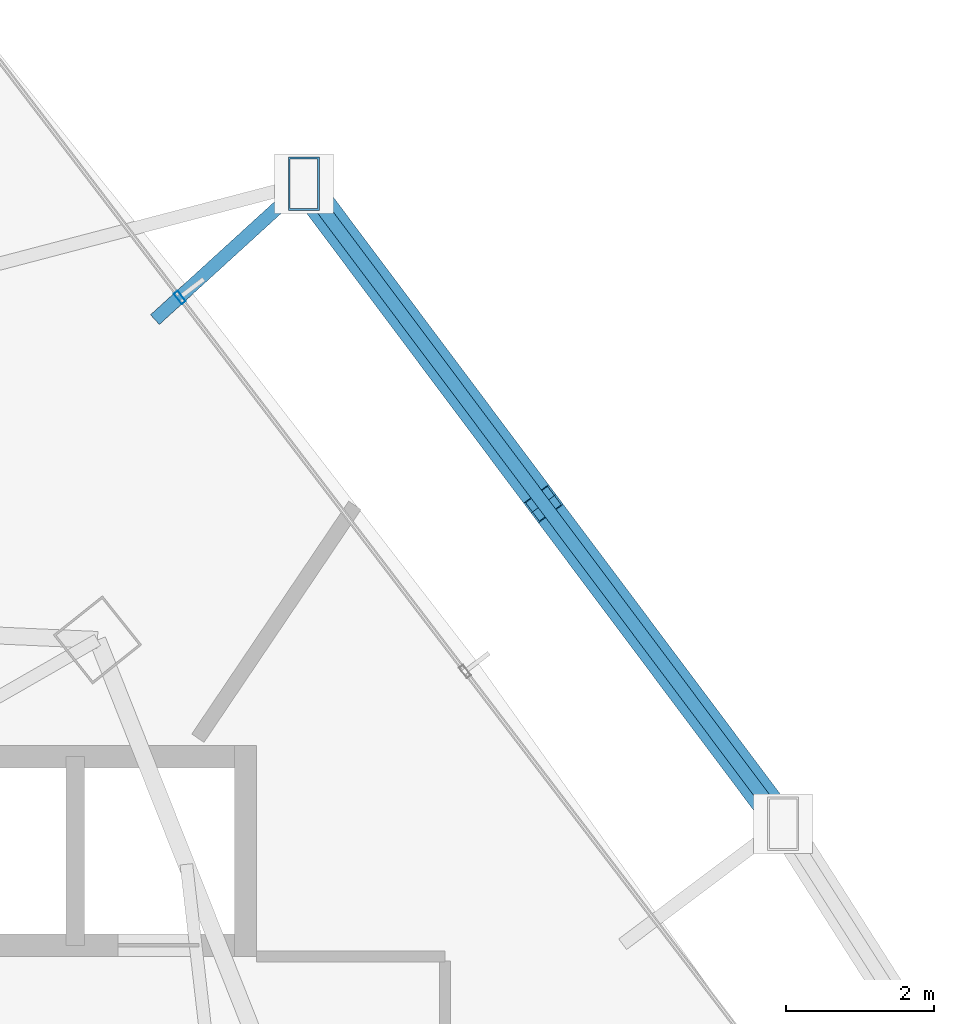
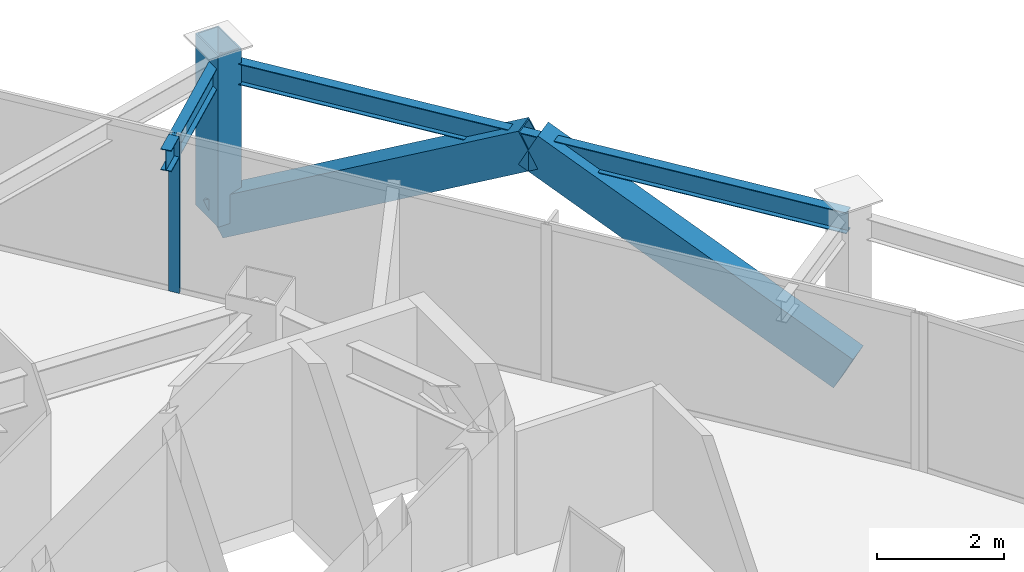
# One storey, part 30 of 38: 4 members, 2 beams, 1 element without a shape of its own.
"""IFC4 building model written with IfcOpenShell, lengths in metres."""

from ifc_helpers import new_model, si_unit, direction, frame, origin, origin_2d, place, context, subcontext, project, spatial, hollow_rectangle, i_section, extrude, material, layer, layer_set, material_profile, profile_set, type_object, element, aggregate, save


model = new_model("IFC4")

# Units and contexts
model_context = context("Model", 3, precision=1e-05, world=origin(), true_north=direction((0.0, 1.0)))
body_context = subcontext(model_context, "Body", "Model", "MODEL_VIEW")
ifc_project = project(units=[si_unit("LENGTHUNIT", "METRE"), si_unit("AREAUNIT", "SQUARE_METRE"), si_unit("VOLUMEUNIT", "CUBIC_METRE"), si_unit("PLANEANGLEUNIT", "RADIAN"), si_unit("MASSUNIT", "GRAM", prefix="KILO")], contexts=[model_context])

# Site, building, storey
site_placement = place(None, origin())
site = spatial("IfcSite", under=ifc_project, at=site_placement, CompositionType="ELEMENT")
building_placement = place(site_placement, origin())
building = spatial("IfcBuilding", under=site, at=building_placement, Name="Orvanel Arch Residences", CompositionType="ELEMENT")
storey_placement = place(building_placement, frame((0.0, 0.0, 56.60009765625)))
storey = spatial("IfcBuildingStorey", under=building, at=storey_placement, Name="L15", CompositionType="ELEMENT", Elevation=56.60009765625)

# Members
ifc_material_1 = material(Name="Structural steel AS/NZS 3678 Grade 350", Category="steel")
ifc_material_profile_1 = material_profile(ifc_material_1, hollow_rectangle(XDim=0.419921875, YDim=0.719970703125, WallThickness=0.02490234375, at=origin_2d()), Name="RHS720x420x25")
ifc_profile_set_1 = profile_set([ifc_material_profile_1], Name="Structural steel AS/NZS 3678 Grade 350")
member_type_1 = type_object("IfcMemberType", Name="BR-720RHS-EXT", PredefinedType="BRACE", material=ifc_profile_set_1)
member_1_placement = place(storey_placement, frame((47.217041015625, 38.694091796875, 0.0), z_axis=(-0.531548213601, 0.709759297802, 0.462275065088), x_axis=(-0.800417297491, -0.599443199876, 0.0)))
element("IfcMember", 1, at=member_1_placement, inside=storey, type_object=member_type_1, Name="L15 Exterior Sky-Garden V-Frame Chevron F3B3.1", PredefinedType="BRACE", context=body_context, shape_type="SweptSolid", body=[
    extrude(hollow_rectangle(XDim=0.419921875, YDim=0.719970703125, WallThickness=0.02490234375, at=origin_2d()), origin(), (0.0, 0.0, 1.0), 6.093505859375),
])
member_2_placement = place(storey_placement, frame((40.739990234375, 47.343994140625, 0.0), z_axis=(0.531433218062, -0.709819758574, 0.462314443942), x_axis=(0.800504014622, 0.599327391811, 0.0)))
element("IfcMember", 2, at=member_2_placement, inside=storey, type_object=member_type_1, Name="L15 Exterior Sky-Garden V-Frame Chevron F3B3.2", PredefinedType="BRACE", context=body_context, shape_type="SweptSolid", body=[
    extrude(hollow_rectangle(XDim=0.419921875, YDim=0.719970703125, WallThickness=0.02490234375, at=origin_2d()), origin(), (0.0, 0.0, 1.0), 6.093017578125),
])
ifc_material_profile_2 = material_profile(ifc_material_1, hollow_rectangle(XDim=0.419921875, YDim=0.719970703125, WallThickness=0.02490234375, at=origin_2d()), Name="RHS720x420x25")
ifc_profile_set_2 = profile_set([ifc_material_profile_2], Name="Structural steel AS/NZS 3678 Grade 350")
member_type_2 = type_object("IfcMemberType", Name="CH-720RHS-EXT", PredefinedType="CHORD", material=ifc_profile_set_2)
member_3_placement = place(storey_placement, frame((40.739990234375, 47.343994140625, 0.0), z_axis=(0.0, 0.0, 1.0), x_axis=(1.0, 0.0, 0.0)))
element("IfcMember", 3, at=member_3_placement, inside=storey, type_object=member_type_2, Name="L15 Outer Perimeter Frame Post 12", PredefinedType="CHORD", context=body_context, shape_type="SweptSolid", body=[
    extrude(hollow_rectangle(XDim=0.419921875, YDim=0.719970703125, WallThickness=0.02490234375, at=origin_2d()), origin(), (0.0, 0.0, 1.0), 3.2998046875),
])

# Curtain wall, member
ifc_material_2 = material(Name="Bronze-anodised aluminium AA6063-T6", Category="aluminium")
ifc_layer = layer(ifc_material_2, 0.179931640625)
ifc_layer_set = layer_set([ifc_layer], Name="Bronze-anodised aluminium AA6063-T6")
curtain_wall_type = type_object("IfcCurtainWallType", Name="CW2-LOW-SYS", PredefinedType="NOTDEFINED", material=ifc_layer_set)
curtain_wall_placement = place(storey_placement, origin())
curtain_wall = element("IfcCurtainWall", 4, at=curtain_wall_placement, inside=storey, type_object=curtain_wall_type, Name="L15 CW2-LOW-SYS Unitised Curtain Wall", PredefinedType="NOTDEFINED")
ifc_material_profile_3 = material_profile(ifc_material_2, hollow_rectangle(XDim=0.070068359375, YDim=0.179931640625, WallThickness=0.00439453125, at=origin_2d()), Name="ALU180x70x4.5")
ifc_profile_set_3 = profile_set([ifc_material_profile_3], Name="Bronze-anodised aluminium AA6063-T6")
member_type_3 = type_object("IfcMemberType", Name="MUL-180x70", PredefinedType="MULLION", material=ifc_profile_set_3)
member_4_placement = place(storey_placement, frame((39.062255859375, 45.808349609375, 0.0), z_axis=(0.0, 0.0, 1.0), x_axis=(-0.795174097037, -0.606381196444, 0.0)))
member_4 = element("IfcMember", 5, at=member_4_placement, type_object=member_type_3, Name="CW-S2 mullion 3", PredefinedType="MULLION", context=body_context, shape_type="SweptSolid", body=[
    extrude(hollow_rectangle(XDim=0.070068359375, YDim=0.179931640625, WallThickness=0.00439453125, at=origin_2d()), origin(), (0.0, 0.0, 1.0), 3.02001953125),
])
aggregate(curtain_wall, [member_4])

# Beams
ifc_material_3 = material(Name="Structural steel AS/NZS 3679.1 Grade 300 (300 MPa)", Category="steel")
ifc_material_profile_4 = material_profile(ifc_material_3, i_section(OverallWidth=0.177978515625, OverallDepth=0.406005859375, WebThickness=0.0078125, FlangeThickness=0.0126953125, at=origin_2d()), Name="410UB59.7")
ifc_profile_set_4 = profile_set([ifc_material_profile_4], Name="Structural steel AS/NZS 3679.1 Grade 300 (300 MPa)")
beam_type = type_object("IfcBeamType", Name="OB-410UB-EXT", PredefinedType="SPANDREL", material=ifc_profile_set_4)
beam_1_placement = place(storey_placement, frame((47.217041015625, 38.694091796875, 2.81689453125), z_axis=(-0.599385300548, 0.800460655802, 0.0), x_axis=(-0.800460655802, -0.599385300548, 0.0)))
element("IfcBeam", 6, at=beam_1_placement, inside=storey, type_object=beam_type, Name="L15 Outer Perimeter Floor Ring Beam 11", PredefinedType="SPANDREL", context=body_context, shape_type="SweptSolid", body=[
    extrude(i_section(OverallWidth=0.177978515625, OverallDepth=0.406005859375, WebThickness=0.0078125, FlangeThickness=0.0126953125, at=origin_2d()), origin(), (0.0, 0.0, 1.0), 10.80615234375),
])
beam_2_placement = place(storey_placement, frame((38.72607421875, 45.507080078125, 2.81689453125), z_axis=(0.738828610863, 0.673893377153, 0.0), x_axis=(-0.673893377153, 0.738828610863, 0.0)))
element("IfcBeam", 7, at=beam_2_placement, inside=storey, type_object=beam_type, Name="L15 Outer Frame Radial Tie Beam 12", PredefinedType="SPANDREL", context=body_context, shape_type="SweptSolid", body=[
    extrude(i_section(OverallWidth=0.177978515625, OverallDepth=0.406005859375, WebThickness=0.0078125, FlangeThickness=0.0126953125, at=origin_2d()), origin(), (0.0, 0.0, 1.0), 2.725830078125),
])

save(model, "model.ifc")
